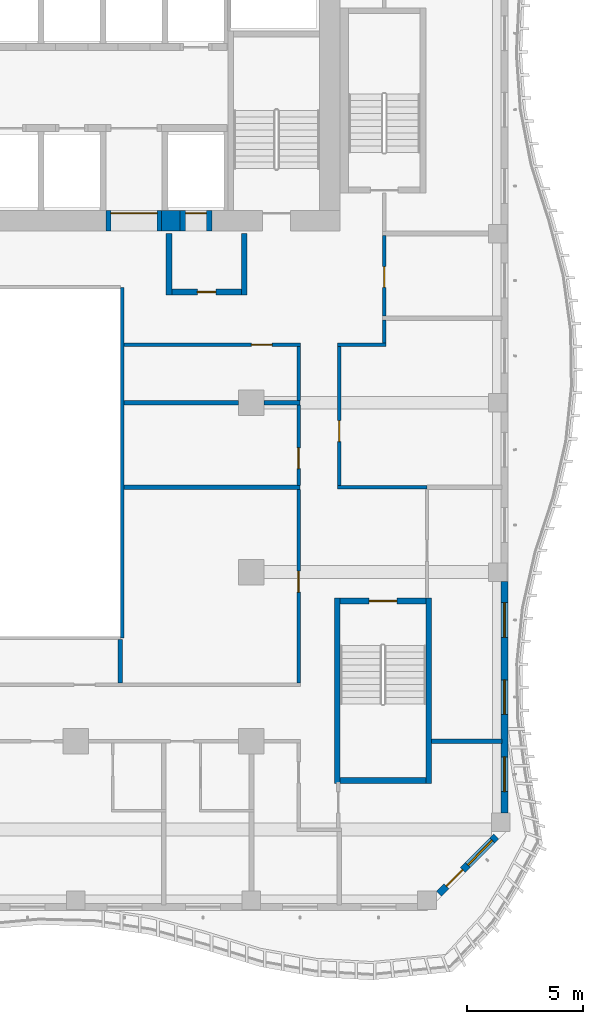
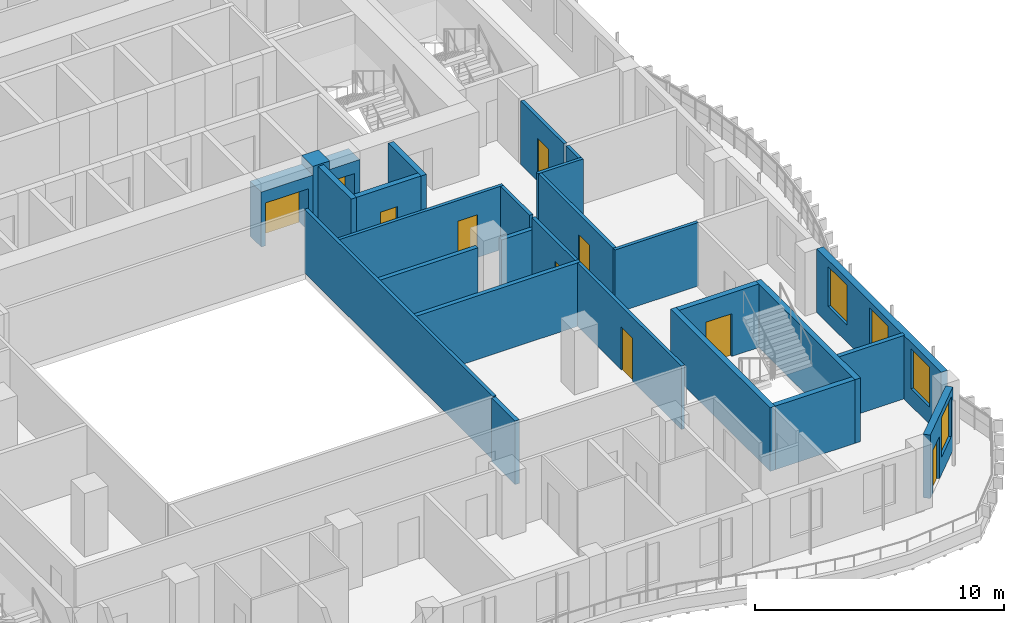
# One storey, part 5 of 20: 27 walls, 10 doors, 4 windows, 14 openings.
"""IFC4 building model written with IfcOpenShell, lengths in metres."""

from ifc_helpers import new_model, si_unit, direction, frame, frame_2d, origin, place, context, subcontext, project, spatial, rectangle, extrude, source, transform, mapped, material, layer, layer_set, type_object, element, fill, save


model = new_model("IFC4")

# Units and contexts
model_context = context("Model", 3, precision=1e-05, world=origin(), true_north=direction((0.0, 1.0)))
body_context = subcontext(model_context, "Body", "Model", "MODEL_VIEW")
ifc_project = project(units=[si_unit("LENGTHUNIT", "METRE"), si_unit("AREAUNIT", "SQUARE_METRE"), si_unit("VOLUMEUNIT", "CUBIC_METRE"), si_unit("PLANEANGLEUNIT", "RADIAN"), si_unit("MASSUNIT", "GRAM", prefix="KILO")], contexts=[model_context])

# Site, building, storey
site_placement = place(None, origin())
site = spatial("IfcSite", under=ifc_project, at=site_placement, CompositionType="ELEMENT")
building_placement = place(site_placement, origin())
building = spatial("IfcBuilding", under=site, at=building_placement, Name="Kilnfold Tower and Market Hall", CompositionType="ELEMENT")
storey_placement = place(building_placement, frame((0.0, 0.0, 157.5)))
storey = spatial("IfcBuildingStorey", under=building, at=storey_placement, Name="L36", CompositionType="ELEMENT", Elevation=157.5)

# Wall
ifc_material_1 = material(Name="Fire-resisting glazed screen")
ifc_layer_1 = layer(ifc_material_1, 0.14990234375)
ifc_layer_set_1 = layer_set([ifc_layer_1], Name="Fire-resisting glazed screen")
wall_type_1 = type_object("IfcWallType", Name="WALL ATRIUM 150", PredefinedType="PARTITIONING", material=ifc_layer_set_1)
wall_1_placement = place(storey_placement, frame((8.574951171875, 5.675048828125, 0.0), z_axis=(0.0, 0.0, 1.0), x_axis=(0.0, -1.0, 0.0)))
element("IfcWall", 1, at=wall_1_placement, inside=storey, type_object=wall_type_1, Name="Partition LY23.110", PredefinedType="PARTITIONING", context=body_context, shape_type="SweptSolid", body=[
    extrude(rectangle(XDim=15.150146484375, YDim=0.14990234375, at=frame_2d((7.5751953125, 0.0))), origin(), (0.0, 0.0, 1.0), 3.1201171875),
])

# Wall, opening, door
ifc_material_2 = material(Name="Gypsum board on steel studs", Category="steel")
ifc_layer_2 = layer(ifc_material_2, 0.14990234375)
ifc_layer_set_2 = layer_set([ifc_layer_2], Name="Gypsum board on steel studs")
wall_type_2 = type_object("IfcWallType", Name="WALL CORRIDOR 150", PredefinedType="PARTITIONING", material=ifc_layer_set_2)
wall_2_placement = place(storey_placement, frame((19.89990234375, 4.43408203125, 0.0), z_axis=(0.0, 0.0, 1.0), x_axis=(0.0, 1.0, 0.0)))
wall_2 = element("IfcWall", 2, at=wall_2_placement, inside=storey, type_object=wall_type_2, Name="Partition LY23.23", PredefinedType="PARTITIONING", context=body_context, shape_type="SweptSolid", body=[
    extrude(rectangle(XDim=3.475830078125, YDim=0.14990234375, at=frame_2d((1.73779296875, 0.0))), origin(), (0.0, 0.0, 1.0), 3.1201171875),
])
opening_1_placement = place(wall_2_placement, frame((1.236083984375, 0.0, 0.0)))
opening_1 = element("IfcOpeningElement", 3, at=opening_1_placement, cuts=wall_2, Name="Opening D2", PredefinedType="OPENING", context=body_context, shape_type="SweptSolid", body=[
    extrude(rectangle(XDim=0.89990234375, YDim=2.10009765625, at=frame_2d((0.449951171875, 1.050048828125))), frame((0.0, 0.0849609375, 0.0), z_axis=(0.0, -1.0, 0.0), x_axis=(1.0, 0.0, 0.0)), (0.0, 0.0, 1.0), 0.169921875),
])
ifc_material_3 = material(Name="Timber veneer door leaf in steel frame", Category="steel")
door_type_1 = type_object("IfcDoorType", Name="DOOR ROOM 900 X2100", OperationType="NOTDEFINED", PredefinedType="DOOR", material=ifc_material_3)
door_1_placement = place(opening_1_placement, origin())
door_1 = element("IfcDoor", 4, at=door_1_placement, inside=storey, type_object=door_type_1, Name="Door D2", OperationType="SINGLE_SWING_LEFT", OverallHeight=2.10009765625, OverallWidth=0.89990234375, PredefinedType="DOOR", context=body_context, shape_type="SweptSolid", body=[
    extrude(rectangle(XDim=0.89990234375, YDim=2.10009765625, at=frame_2d((0.449951171875, 1.050048828125))), frame((0.0, 0.02490234375, 0.0), z_axis=(0.0, -1.0, 0.0), x_axis=(1.0, 0.0, 0.0)), (0.0, 0.0, 1.0), 0.050048828125),
])
fill(opening_1, door_1)

# Walls
wall_3_placement = place(storey_placement, frame((19.89990234375, 3.27490234375, 0.0), z_axis=(0.0, 0.0, 1.0), x_axis=(0.0, 1.0, 0.0)))
element("IfcWall", 5, at=wall_3_placement, inside=storey, type_object=wall_type_2, Name="Partition LY23.27", PredefinedType="PARTITIONING", context=body_context, shape_type="SweptSolid", body=[
    extrude(rectangle(XDim=0.97900390625, YDim=0.14990234375, at=frame_2d((0.489501953125, 0.0))), origin(), (0.0, 0.0, 1.0), 3.1201171875),
])
wall_4_placement = place(storey_placement, frame((17.884033203125, 3.199951171875, 0.0), z_axis=(0.0, 0.0, 1.0), x_axis=(1.0, 0.0, 0.0)))
element("IfcWall", 6, at=wall_4_placement, inside=storey, type_object=wall_type_2, Name="Partition LY23.28", PredefinedType="PARTITIONING", context=body_context, shape_type="SweptSolid", body=[
    extrude(rectangle(XDim=2.091064453125, YDim=0.14990234375, at=frame_2d((1.04541015625, 0.0))), origin(), (0.0, 0.0, 1.0), 3.1201171875),
])

# Wall, opening, door
wall_5_placement = place(storey_placement, frame((17.958984375, -2.89404296875, 0.0), z_axis=(0.0, 0.0, 1.0), x_axis=(0.0, 1.0, 0.0)))
wall_5 = element("IfcWall", 7, at=wall_5_placement, inside=storey, type_object=wall_type_2, Name="Partition LY23.29", PredefinedType="PARTITIONING", context=body_context, shape_type="SweptSolid", body=[
    extrude(rectangle(XDim=6.01904296875, YDim=0.14990234375, at=frame_2d((3.009521484375, 0.0))), origin(), (0.0, 0.0, 1.0), 3.1201171875),
])
opening_2_placement = place(wall_5_placement, frame((1.906982421875, 0.0, 0.0)))
opening_2 = element("IfcOpeningElement", 8, at=opening_2_placement, cuts=wall_5, Name="Opening D2", PredefinedType="OPENING", context=body_context, shape_type="SweptSolid", body=[
    extrude(rectangle(XDim=0.89990234375, YDim=2.10009765625, at=frame_2d((0.449951171875, 1.050048828125))), frame((0.0, 0.0849609375, 0.0), z_axis=(0.0, -1.0, 0.0), x_axis=(1.0, 0.0, 0.0)), (0.0, 0.0, 1.0), 0.169921875),
])
door_2_placement = place(opening_2_placement, origin())
door_2 = element("IfcDoor", 9, at=door_2_placement, inside=storey, type_object=door_type_1, Name="Door D2", OperationType="SINGLE_SWING_RIGHT", OverallHeight=2.10009765625, OverallWidth=0.89990234375, PredefinedType="DOOR", context=body_context, shape_type="SweptSolid", body=[
    extrude(rectangle(XDim=0.89990234375, YDim=2.10009765625, at=frame_2d((0.449951171875, 1.050048828125))), frame((0.0, 0.02490234375, 0.0), z_axis=(0.0, -1.0, 0.0), x_axis=(1.0, 0.0, 0.0)), (0.0, 0.0, 1.0), 0.050048828125),
])
fill(opening_2, door_2)

# Wall
wall_6_placement = place(storey_placement, frame((21.7509765625, -2.968994140625, 0.0), z_axis=(0.0, 0.0, 1.0), x_axis=(-1.0, 0.0, 0.0)))
element("IfcWall", 10, at=wall_6_placement, inside=storey, type_object=wall_type_2, Name="Partition LY23.30", PredefinedType="PARTITIONING", context=body_context, shape_type="SweptSolid", body=[
    extrude(rectangle(XDim=3.866943359375, YDim=0.14990234375, at=frame_2d((1.93359375, 0.0))), origin(), (0.0, 0.0, 1.0), 3.1201171875),
])

# Wall, opening, door
wall_7_placement = place(storey_placement, frame((16.199951171875, -11.425048828125, 0.0), z_axis=(0.0, 0.0, 1.0), x_axis=(0.0, 1.0, 0.0)))
wall_7 = element("IfcWall", 11, at=wall_7_placement, inside=storey, type_object=wall_type_2, Name="Partition LY23.40", PredefinedType="PARTITIONING", context=body_context, shape_type="SweptSolid", body=[
    extrude(rectangle(XDim=8.365966796875, YDim=0.14990234375, at=frame_2d((4.18310546875, 0.0))), origin(), (0.0, 0.0, 1.0), 3.1201171875),
])
opening_3_placement = place(wall_7_placement, frame((3.93505859375, 0.0, 0.0)))
opening_3 = element("IfcOpeningElement", 12, at=opening_3_placement, cuts=wall_7, Name="Opening D2", PredefinedType="OPENING", context=body_context, shape_type="SweptSolid", body=[
    extrude(rectangle(XDim=0.89990234375, YDim=2.10009765625, at=frame_2d((0.449951171875, 1.050048828125))), frame((0.0, 0.0849609375, 0.0), z_axis=(0.0, -1.0, 0.0), x_axis=(1.0, 0.0, 0.0)), (0.0, 0.0, 1.0), 0.169921875),
])
door_3_placement = place(opening_3_placement, origin())
door_3 = element("IfcDoor", 13, at=door_3_placement, inside=storey, type_object=door_type_1, Name="Door D2", OperationType="SINGLE_SWING_RIGHT", OverallHeight=2.10009765625, OverallWidth=0.89990234375, PredefinedType="DOOR", context=body_context, shape_type="SweptSolid", body=[
    extrude(rectangle(XDim=0.89990234375, YDim=2.10009765625, at=frame_2d((0.449951171875, 1.050048828125))), frame((0.0, 0.02490234375, 0.0), z_axis=(0.0, -1.0, 0.0), x_axis=(1.0, 0.0, 0.0)), (0.0, 0.0, 1.0), 0.050048828125),
])
fill(opening_3, door_3)

wall_8_placement = place(storey_placement, frame((16.199951171875, -2.87890625, 0.0), z_axis=(0.0, 0.0, 1.0), x_axis=(0.0, 1.0, 0.0)))
wall_8 = element("IfcWall", 14, at=wall_8_placement, inside=storey, type_object=wall_type_2, Name="Partition LY23.41", PredefinedType="PARTITIONING", context=body_context, shape_type="SweptSolid", body=[
    extrude(rectangle(XDim=3.476806640625, YDim=0.14990234375, at=frame_2d((1.73828125, 0.0))), origin(), (0.0, 0.0, 1.0), 3.1201171875),
])
opening_4_placement = place(wall_8_placement, frame((0.718017578125, 0.0, 0.0)))
opening_4 = element("IfcOpeningElement", 15, at=opening_4_placement, cuts=wall_8, Name="Opening D2", PredefinedType="OPENING", context=body_context, shape_type="SweptSolid", body=[
    extrude(rectangle(XDim=0.89990234375, YDim=2.10009765625, at=frame_2d((0.449951171875, 1.050048828125))), frame((0.0, 0.0849609375, 0.0), z_axis=(0.0, -1.0, 0.0), x_axis=(1.0, 0.0, 0.0)), (0.0, 0.0, 1.0), 0.169921875),
])
door_4_placement = place(opening_4_placement, origin())
door_4 = element("IfcDoor", 16, at=door_4_placement, inside=storey, type_object=door_type_1, Name="Door D2", OperationType="SINGLE_SWING_LEFT", OverallHeight=2.10009765625, OverallWidth=0.89990234375, PredefinedType="DOOR", context=body_context, shape_type="SweptSolid", body=[
    extrude(rectangle(XDim=0.89990234375, YDim=2.10009765625, at=frame_2d((0.449951171875, 1.050048828125))), frame((0.0, 0.02490234375, 0.0), z_axis=(0.0, -1.0, 0.0), x_axis=(1.0, 0.0, 0.0)), (0.0, 0.0, 1.0), 0.050048828125),
])
fill(opening_4, door_4)

# Wall
wall_9_placement = place(storey_placement, frame((16.199951171875, 0.778076171875, 0.0), z_axis=(0.0, 0.0, 1.0), x_axis=(0.0, 1.0, 0.0)))
element("IfcWall", 17, at=wall_9_placement, inside=storey, type_object=wall_type_2, Name="Partition LY23.42", PredefinedType="PARTITIONING", context=body_context, shape_type="SweptSolid", body=[
    extrude(rectangle(XDim=2.346923828125, YDim=0.14990234375, at=frame_2d((1.17333984375, 0.0))), origin(), (0.0, 0.0, 1.0), 3.1201171875),
])

# Wall, opening, door
wall_10_placement = place(storey_placement, frame((8.64990234375, 3.199951171875, 0.0), z_axis=(0.0, 0.0, 1.0), x_axis=(1.0, 0.0, 0.0)))
wall_10 = element("IfcWall", 18, at=wall_10_placement, inside=storey, type_object=wall_type_2, Name="Partition LY23.43", PredefinedType="PARTITIONING", context=body_context, shape_type="SweptSolid", body=[
    extrude(rectangle(XDim=7.625, YDim=0.14990234375, at=frame_2d((3.8125, 0.0))), origin(), (0.0, 0.0, 1.0), 3.1201171875),
])
opening_5_placement = place(wall_10_placement, frame((5.512939453125, 0.0, 0.0)))
opening_5 = element("IfcOpeningElement", 19, at=opening_5_placement, cuts=wall_10, Name="Opening D2", PredefinedType="OPENING", context=body_context, shape_type="SweptSolid", body=[
    extrude(rectangle(XDim=0.89990234375, YDim=2.10009765625, at=frame_2d((0.449951171875, 1.050048828125))), frame((0.0, 0.0849609375, 0.0), z_axis=(0.0, -1.0, 0.0), x_axis=(1.0, 0.0, 0.0)), (0.0, 0.0, 1.0), 0.169921875),
])
door_5_placement = place(opening_5_placement, origin())
door_5 = element("IfcDoor", 20, at=door_5_placement, inside=storey, type_object=door_type_1, Name="Door D2", OperationType="SINGLE_SWING_LEFT", OverallHeight=2.10009765625, OverallWidth=0.89990234375, PredefinedType="DOOR", context=body_context, shape_type="SweptSolid", body=[
    extrude(rectangle(XDim=0.89990234375, YDim=2.10009765625, at=frame_2d((0.449951171875, 1.050048828125))), frame((0.0, 0.02490234375, 0.0), z_axis=(0.0, -1.0, 0.0), x_axis=(1.0, 0.0, 0.0)), (0.0, 0.0, 1.0), 0.050048828125),
])
fill(opening_5, door_5)

# Walls
ifc_material_4 = material(Name="Gypsum board on steel studs", Category="steel")
ifc_layer_3 = layer(ifc_material_4, 0.199951171875)
ifc_layer_set_3 = layer_set([ifc_layer_3], Name="Gypsum board on steel studs")
wall_type_3 = type_object("IfcWallType", Name="WALL PARTY 200", PredefinedType="PARTITIONING", material=ifc_layer_set_3)
wall_11_placement = place(storey_placement, frame((25.0, -13.93798828125, 0.0), z_axis=(0.0, 0.0, 1.0), x_axis=(-1.0, 0.0, 0.0)))
element("IfcWall", 21, at=wall_11_placement, inside=storey, type_object=wall_type_3, Name="Partition LY23.61", PredefinedType="PARTITIONING", context=body_context, shape_type="SweptSolid", body=[
    extrude(rectangle(XDim=3.050048828125, YDim=0.199951171875, at=frame_2d((1.52490234375, 0.0))), origin(), (0.0, 0.0, 1.0), 3.1201171875),
])
wall_12_placement = place(storey_placement, frame((8.5, -11.423095703125, 0.0), z_axis=(0.0, 0.0, 1.0), x_axis=(0.0, 1.0, 0.0)))
element("IfcWall", 22, at=wall_12_placement, inside=storey, type_object=wall_type_3, Name="Partition LY23.103", PredefinedType="PARTITIONING", context=body_context, shape_type="SweptSolid", body=[
    extrude(rectangle(XDim=1.873046875, YDim=0.199951171875, at=frame_2d((0.9365234375, 0.0))), origin(), (0.0, 0.0, 1.0), 3.1201171875),
])
wall_13_placement = place(storey_placement, frame((8.64990234375, -2.968994140625, 0.0), z_axis=(0.0, 0.0, 1.0), x_axis=(1.0, 0.0, 0.0)))
element("IfcWall", 23, at=wall_13_placement, inside=storey, type_object=wall_type_3, Name="Partition LY23.104", PredefinedType="PARTITIONING", context=body_context, shape_type="SweptSolid", body=[
    extrude(rectangle(XDim=7.623046875, YDim=0.199951171875, at=frame_2d((3.8115234375, 0.0))), origin(), (0.0, 0.0, 1.0), 3.1201171875),
])
wall_14_placement = place(storey_placement, frame((14.717041015625, 0.68798828125, 0.0), z_axis=(0.0, 0.0, 1.0), x_axis=(1.0, 0.0, 0.0)))
element("IfcWall", 24, at=wall_14_placement, inside=storey, type_object=wall_type_3, Name="Partition LY23.105", PredefinedType="PARTITIONING", context=body_context, shape_type="SweptSolid", body=[
    extrude(rectangle(XDim=1.555908203125, YDim=0.199951171875, at=frame_2d((0.77783203125, 0.0))), origin(), (0.0, 0.0, 1.0), 2.52001953125),
])
wall_15_placement = place(storey_placement, frame((8.64990234375, 0.68798828125, 0.0), z_axis=(0.0, 0.0, 1.0), x_axis=(1.0, 0.0, 0.0)))
element("IfcWall", 25, at=wall_15_placement, inside=storey, type_object=wall_type_3, Name="Partition LY23.106", PredefinedType="PARTITIONING", context=body_context, shape_type="SweptSolid", body=[
    extrude(rectangle(XDim=4.967041015625, YDim=0.199951171875, at=frame_2d((2.4833984375, 0.0))), origin(), (0.0, 0.0, 1.0), 2.52001953125),
])
ifc_material_5 = material(Name="Concrete C70", Category="concrete")
ifc_layer_4 = layer(ifc_material_5, 0.89990234375)
ifc_layer_set_4 = layer_set([ifc_layer_4], Name="Concrete C70")
wall_type_4 = type_object("IfcWallType", Name="CORE WALL 900 C70", PredefinedType="SHEAR", material=ifc_layer_set_4)
shared_shape_1 = source(origin(), body_context, "Body", "SweptSolid", [
    extrude(rectangle(XDim=0.780029296875, YDim=0.89990234375, at=frame_2d((0.39013671875, 0.0))), origin(), (0.0, 0.0, 1.0), 3.1201171875),
])
wall_16_placement = place(storey_placement, frame((10.2900390625, 8.550048828125, 0.0), z_axis=(0.0, 0.0, 1.0), x_axis=(1.0, 0.0, 0.0)))
element("IfcWall", 26, at=wall_16_placement, inside=storey, type_object=wall_type_4, Name="Core outer wall south", PredefinedType="SHEAR", context=body_context, shape_type="MappedRepresentation", body=[
    mapped(shared_shape_1, transform((0.0, 0.0, 0.0))),
])
ifc_material_6 = material(Name="Concrete C70", Category="concrete")
ifc_layer_5 = layer(ifc_material_6, 0.25)
ifc_layer_set_5 = layer_set([ifc_layer_5], Name="Concrete C70")
wall_type_5 = type_object("IfcWallType", Name="CORE WALL 250 C70", PredefinedType="SHEAR", material=ifc_layer_set_5)
shared_shape_2 = source(origin(), body_context, "Body", "SweptSolid", [
    extrude(rectangle(XDim=3.699951171875, YDim=0.25, at=frame_2d((1.85009765625, 0.0))), origin(), (0.0, 0.0, 1.0), 3.1201171875),
])
wall_17_placement = place(storey_placement, frame((18.0, -15.625, 0.0), z_axis=(0.0, 0.0, 1.0), x_axis=(1.0, 0.0, 0.0)))
element("IfcWall", 27, at=wall_17_placement, inside=storey, type_object=wall_type_5, Name="Stair enclosure ST4", PredefinedType="SHEAR", context=body_context, shape_type="MappedRepresentation", body=[
    mapped(shared_shape_2, transform((0.0, 0.0, 0.0))),
])

# Wall, opening, door
wall_18_placement = place(storey_placement, frame((18.0, -7.875, 0.0), z_axis=(0.0, 0.0, 1.0), x_axis=(1.0, 0.0, 0.0)))
wall_18 = element("IfcWall", 28, at=wall_18_placement, inside=storey, type_object=wall_type_5, Name="Stair enclosure ST4", PredefinedType="SHEAR", context=body_context, shape_type="MappedRepresentation", body=[
    mapped(shared_shape_2, transform((0.0, 0.0, 0.0))),
])
opening_6_placement = place(wall_18_placement, frame((1.25, 0.0, 0.0)))
opening_6 = element("IfcOpeningElement", 29, at=opening_6_placement, cuts=wall_18, Name="Opening SD1", PredefinedType="OPENING", context=body_context, shape_type="SweptSolid", body=[
    extrude(rectangle(XDim=1.199951171875, YDim=2.10009765625, at=frame_2d((0.60009765625, 1.050048828125))), frame((0.0, 0.135009765625, 0.0), z_axis=(0.0, -1.0, 0.0), x_axis=(1.0, 0.0, 0.0)), (0.0, 0.0, 1.0), 0.27001953125),
])
ifc_material_7 = material(Name="Steel door set with fire-resisting leaf", Category="steel")
door_type_2 = type_object("IfcDoorType", Name="STAIR FLOOR DOOR 1200X2100", OperationType="NOTDEFINED", PredefinedType="DOOR", material=ifc_material_7)
door_6_placement = place(opening_6_placement, origin())
door_6 = element("IfcDoor", 30, at=door_6_placement, inside=storey, type_object=door_type_2, Name="Exit stair ST4 door", OperationType="DOUBLE_DOOR_SINGLE_SWING", OverallHeight=2.10009765625, OverallWidth=1.199951171875, PredefinedType="DOOR", context=body_context, shape_type="SweptSolid", body=[
    extrude(rectangle(XDim=1.199951171875, YDim=2.10009765625, at=frame_2d((0.60009765625, 1.050048828125))), frame((0.0, 0.02490234375, 0.0), z_axis=(0.0, -1.0, 0.0), x_axis=(1.0, 0.0, 0.0)), (0.0, 0.0, 1.0), 0.050048828125),
])
fill(opening_6, door_6)

# Walls
shared_shape_3 = source(origin(), body_context, "Body", "SweptSolid", [
    extrude(rectangle(XDim=8.0, YDim=0.25, at=frame_2d((4.0, 0.0))), origin(), (0.0, 0.0, 1.0), 3.1201171875),
])
for number, where, z_axis, x_axis, name in (
    (31, (17.875, -15.75, 0.0), (0.0, 0.0, 1.0), (0.0, 1.0, 0.0), "Stair enclosure ST4"),
    (32, (21.824951171875, -15.75, 0.0), (0.0, 0.0, 1.0), (0.0, 1.0, 0.0), "Stair enclosure ST4"),
):
    element("IfcWall", number, at=place(storey_placement, frame(where, z_axis=z_axis, x_axis=x_axis)), inside=storey, type_object=wall_type_5, Name=name, PredefinedType="SHEAR", context=body_context, shape_type="MappedRepresentation", body=[
        mapped(shared_shape_3, transform((0.0, 0.0, 0.0))),
    ])

# Wall, openings, door, window
ifc_material_8 = material(Name="Precast concrete C50/60", Category="concrete")
ifc_layer_6 = layer(ifc_material_8, 0.300048828125)
ifc_layer_set_6 = layer_set([ifc_layer_6], Name="Precast concrete C50/60")
wall_type_6 = type_object("IfcWallType", Name="PRECAST WALL 300", PredefinedType="SOLIDWALL", material=ifc_layer_set_6)
shared_shape_4 = source(origin(), body_context, "Body", "SweptSolid", [
    extrude(rectangle(XDim=3.500244140625, YDim=0.300048828125, at=frame_2d((1.75, 0.0))), origin(), (0.0, 0.0, 1.0), 3.1201171875),
])
wall_19_placement = place(storey_placement, frame((22.268798828125, -20.518798828125, 0.0), z_axis=(0.0, 0.0, 1.0), x_axis=(0.707141656123, 0.70707190453, 0.0)))
wall_19 = element("IfcWall", 33, at=wall_19_placement, inside=storey, type_object=wall_type_6, Name="External wall L36 SE", PredefinedType="SOLIDWALL", context=body_context, shape_type="MappedRepresentation", body=[
    mapped(shared_shape_4, transform((0.0, 0.0, 0.0))),
])
opening_7_placement = place(wall_19_placement, frame((1.75, 0.0, 0.85009765625)))
opening_7 = element("IfcOpeningElement", 34, at=opening_7_placement, cuts=wall_19, Name="Opening W4", PredefinedType="OPENING", context=body_context, shape_type="SweptSolid", body=[
    extrude(rectangle(XDim=1.5, YDim=1.949951171875, at=frame_2d((0.75, 0.97509765625))), frame((0.0, 0.16015625, 0.0), z_axis=(0.0, -1.0, 0.0), x_axis=(1.0, 0.0, 0.0)), (0.0, 0.0, 1.0), 0.320068359375),
])
opening_8_placement = place(wall_19_placement, frame((0.449951171875, 0.0, 0.0)))
opening_8 = element("IfcOpeningElement", 35, at=opening_8_placement, cuts=wall_19, Name="Opening BD1", PredefinedType="OPENING", context=body_context, shape_type="SweptSolid", body=[
    extrude(rectangle(XDim=1.0, YDim=2.10009765625, at=frame_2d((0.5, 1.050048828125))), frame((0.0, 0.16015625, 0.0), z_axis=(0.0, -1.0, 0.0), x_axis=(1.0, 0.0, 0.0)), (0.0, 0.0, 1.0), 0.320068359375),
])
ifc_material_9 = material(Name="Aluminium frame and double glazing", Category="aluminium")
door_type_3 = type_object("IfcDoorType", Name="BALCONY DOOR 1000X2100", OperationType="NOTDEFINED", PredefinedType="DOOR", material=ifc_material_9)
door_7_placement = place(opening_8_placement, origin())
door_7 = element("IfcDoor", 36, at=door_7_placement, inside=storey, type_object=door_type_3, Name="Balcony door BD1 L36 SE-1", OperationType="SINGLE_SWING_LEFT", OverallHeight=2.10009765625, OverallWidth=1.0, PredefinedType="DOOR", context=body_context, shape_type="SweptSolid", body=[
    extrude(rectangle(XDim=1.0, YDim=2.10009765625, at=frame_2d((0.5, 1.050048828125))), frame((0.0, 0.02490234375, 0.0), z_axis=(0.0, -1.0, 0.0), x_axis=(1.0, 0.0, 0.0)), (0.0, 0.0, 1.0), 0.050048828125),
])
fill(opening_8, door_7)
ifc_material_10 = material(Name="Aluminium frame and double glazing", Category="aluminium")
window_type = type_object("IfcWindowType", Name="WINDOW W4 1500X1950", PartitioningType="SINGLE_PANEL", PredefinedType="WINDOW", material=ifc_material_10)
window_1_placement = place(opening_7_placement, origin())
window_1 = element("IfcWindow", 37, at=window_1_placement, inside=storey, type_object=window_type, Name="Window W4 L36 SE-1", OverallHeight=1.949951171875, OverallWidth=1.5, PartitioningType="SINGLE_PANEL", PredefinedType="WINDOW", context=body_context, shape_type="SweptSolid", body=[
    extrude(rectangle(XDim=1.5, YDim=1.949951171875, at=frame_2d((0.75, 0.97509765625))), frame((0.0, 0.030029296875, 0.0), z_axis=(0.0, -1.0, 0.0), x_axis=(1.0, 0.0, 0.0)), (0.0, 0.0, 1.0), 0.06005859375),
])
fill(opening_7, window_1)

# Wall, openings, windows
shared_shape_5 = source(origin(), body_context, "Body", "SweptSolid", [
    extrude(rectangle(XDim=10.0068359375, YDim=0.300048828125, at=frame_2d((5.00341796875, 0.0))), origin(), (0.0, 0.0, 1.0), 3.1201171875),
])
wall_20_placement = place(storey_placement, frame((25.10009765625, -17.03173828125, 0.0), z_axis=(0.0, 0.0, 1.0), x_axis=(0.0, 1.0, 0.0)))
wall_20 = element("IfcWall", 38, at=wall_20_placement, inside=storey, type_object=wall_type_6, Name="External wall L36 E", PredefinedType="SOLIDWALL", context=body_context, shape_type="MappedRepresentation", body=[
    mapped(shared_shape_5, transform((0.0, 0.0, 0.0))),
])
opening_9_placement = place(wall_20_placement, frame((0.917724609375, 0.0, 0.85009765625)))
opening_9 = element("IfcOpeningElement", 39, at=opening_9_placement, cuts=wall_20, Name="Opening W4", PredefinedType="OPENING", context=body_context, shape_type="SweptSolid", body=[
    extrude(rectangle(XDim=1.5, YDim=1.949951171875, at=frame_2d((0.75, 0.97509765625))), frame((0.0, 0.16015625, 0.0), z_axis=(0.0, -1.0, 0.0), x_axis=(1.0, 0.0, 0.0)), (0.0, 0.0, 1.0), 0.320068359375),
])
opening_10_placement = place(wall_20_placement, frame((4.25341796875, 0.0, 0.85009765625)))
opening_10 = element("IfcOpeningElement", 40, at=opening_10_placement, cuts=wall_20, Name="Opening W4", PredefinedType="OPENING", context=body_context, shape_type="SweptSolid", body=[
    extrude(rectangle(XDim=1.5, YDim=1.949951171875, at=frame_2d((0.75, 0.97509765625))), frame((0.0, 0.16015625, 0.0), z_axis=(0.0, -1.0, 0.0), x_axis=(1.0, 0.0, 0.0)), (0.0, 0.0, 1.0), 0.320068359375),
])
opening_11_placement = place(wall_20_placement, frame((7.589111328125, 0.0, 0.85009765625)))
opening_11 = element("IfcOpeningElement", 41, at=opening_11_placement, cuts=wall_20, Name="Opening W4", PredefinedType="OPENING", context=body_context, shape_type="SweptSolid", body=[
    extrude(rectangle(XDim=1.5, YDim=1.949951171875, at=frame_2d((0.75, 0.97509765625))), frame((0.0, 0.16015625, 0.0), z_axis=(0.0, -1.0, 0.0), x_axis=(1.0, 0.0, 0.0)), (0.0, 0.0, 1.0), 0.320068359375),
])
window_2_placement = place(opening_9_placement, origin())
window_2 = element("IfcWindow", 42, at=window_2_placement, inside=storey, type_object=window_type, Name="Window W4 L36 E-1", OverallHeight=1.949951171875, OverallWidth=1.5, PartitioningType="SINGLE_PANEL", PredefinedType="WINDOW", context=body_context, shape_type="SweptSolid", body=[
    extrude(rectangle(XDim=1.5, YDim=1.949951171875, at=frame_2d((0.75, 0.97509765625))), frame((0.0, 0.030029296875, 0.0), z_axis=(0.0, -1.0, 0.0), x_axis=(1.0, 0.0, 0.0)), (0.0, 0.0, 1.0), 0.06005859375),
])
fill(opening_9, window_2)
window_3_placement = place(opening_10_placement, origin())
window_3 = element("IfcWindow", 43, at=window_3_placement, inside=storey, type_object=window_type, Name="Window W4 L36 E-2", OverallHeight=1.949951171875, OverallWidth=1.5, PartitioningType="SINGLE_PANEL", PredefinedType="WINDOW", context=body_context, shape_type="SweptSolid", body=[
    extrude(rectangle(XDim=1.5, YDim=1.949951171875, at=frame_2d((0.75, 0.97509765625))), frame((0.0, 0.030029296875, 0.0), z_axis=(0.0, -1.0, 0.0), x_axis=(1.0, 0.0, 0.0)), (0.0, 0.0, 1.0), 0.06005859375),
])
fill(opening_10, window_3)
window_4_placement = place(opening_11_placement, origin())
window_4 = element("IfcWindow", 44, at=window_4_placement, inside=storey, type_object=window_type, Name="Window W4 L36 E-3", OverallHeight=1.949951171875, OverallWidth=1.5, PartitioningType="SINGLE_PANEL", PredefinedType="WINDOW", context=body_context, shape_type="SweptSolid", body=[
    extrude(rectangle(XDim=1.5, YDim=1.949951171875, at=frame_2d((0.75, 0.97509765625))), frame((0.0, 0.030029296875, 0.0), z_axis=(0.0, -1.0, 0.0), x_axis=(1.0, 0.0, 0.0)), (0.0, 0.0, 1.0), 0.06005859375),
])
fill(opening_11, window_4)

# Wall, opening, door
ifc_material_11 = material(Name="Gypsum shaft wall system")
ifc_layer_7 = layer(ifc_material_11, 0.89990234375)
ifc_layer_set_7 = layer_set([ifc_layer_7], Name="Gypsum shaft wall system")
wall_type_7 = type_object("IfcWallType", Name="LOBBY WALL 900", PredefinedType="PARTITIONING", material=ifc_layer_set_7)
shared_shape_6 = source(origin(), body_context, "Body", "SweptSolid", [
    extrude(rectangle(XDim=1.39990234375, YDim=0.89990234375, at=frame_2d((0.699951171875, 0.0))), origin(), (0.0, 0.0, 1.0), 2.699951171875),
])
wall_21_placement = place(storey_placement, frame((11.070068359375, 8.550048828125, 0.0), z_axis=(0.0, 0.0, 1.0), x_axis=(1.0, 0.0, 0.0)))
wall_21 = element("IfcWall", 45, at=wall_21_placement, inside=storey, type_object=wall_type_7, Name="Core wall infill", PredefinedType="PARTITIONING", context=body_context, shape_type="MappedRepresentation", body=[
    mapped(shared_shape_6, transform((0.0, 0.0, 0.0))),
])
opening_12_placement = place(wall_21_placement, frame((0.25, 0.0, 0.0)))
opening_12 = element("IfcOpeningElement", 46, at=opening_12_placement, cuts=wall_21, Name="Opening LD1", PredefinedType="OPENING", context=body_context, shape_type="SweptSolid", body=[
    extrude(rectangle(XDim=0.89990234375, YDim=2.10009765625, at=frame_2d((0.449951171875, 1.050048828125))), frame((0.0, 0.4599609375, 0.0), z_axis=(0.0, -1.0, 0.0), x_axis=(1.0, 0.0, 0.0)), (0.0, 0.0, 1.0), 0.919921875),
])
ifc_material_12 = material(Name="Steel door set with fire-resisting leaf", Category="steel")
door_type_4 = type_object("IfcDoorType", Name="FIREFIGHTING LANDING DOOR 900X2100", OperationType="NOTDEFINED", PredefinedType="DOOR", material=ifc_material_12)
door_8_placement = place(opening_12_placement, origin())
door_8 = element("IfcDoor", 47, at=door_8_placement, inside=storey, type_object=door_type_4, Name="Landing door FF3", OperationType="SLIDING_TO_LEFT", OverallHeight=2.10009765625, OverallWidth=0.89990234375, PredefinedType="DOOR", context=body_context, shape_type="SweptSolid", body=[
    extrude(rectangle(XDim=0.89990234375, YDim=2.10009765625, at=frame_2d((0.449951171875, 1.050048828125))), frame((0.0, 0.35498046875, 0.0), z_axis=(0.0, -1.0, 0.0), x_axis=(1.0, 0.0, 0.0)), (0.0, 0.0, 1.0), 0.050048828125),
])
fill(opening_12, door_8)

shared_shape_7 = source(origin(), body_context, "Body", "SweptSolid", [
    extrude(rectangle(XDim=2.400146484375, YDim=0.89990234375, at=frame_2d((1.2001953125, 0.0))), origin(), (0.0, 0.0, 1.0), 2.699951171875),
])
wall_22_placement = place(storey_placement, frame((7.889892578125, 8.550048828125, 0.0), z_axis=(0.0, 0.0, 1.0), x_axis=(1.0, 0.0, 0.0)))
wall_22 = element("IfcWall", 48, at=wall_22_placement, inside=storey, type_object=wall_type_7, Name="Core wall infill", PredefinedType="PARTITIONING", context=body_context, shape_type="MappedRepresentation", body=[
    mapped(shared_shape_7, transform((0.0, 0.0, 0.0))),
])
opening_13_placement = place(wall_22_placement, frame((0.199951171875, 0.0, 0.0)))
opening_13 = element("IfcOpeningElement", 49, at=opening_13_placement, cuts=wall_22, Name="Opening VD2", PredefinedType="OPENING", context=body_context, shape_type="SweptSolid", body=[
    extrude(rectangle(XDim=2.0, YDim=2.10009765625, at=frame_2d((1.0, 1.050048828125))), frame((0.0, 0.4599609375, 0.0), z_axis=(0.0, -1.0, 0.0), x_axis=(1.0, 0.0, 0.0)), (0.0, 0.0, 1.0), 0.919921875),
])
ifc_material_13 = material(Name="Steel door set with fire-resisting leaf", Category="steel")
door_type_5 = type_object("IfcDoorType", Name="LIFT LOBBY ENTRANCE DOOR 2000X2100", OperationType="NOTDEFINED", PredefinedType="DOOR", material=ifc_material_13)
door_9_placement = place(opening_13_placement, origin())
door_9 = element("IfcDoor", 50, at=door_9_placement, inside=storey, type_object=door_type_5, Name="Lift lobby entrance door", OperationType="DOUBLE_DOOR_SINGLE_SWING", OverallHeight=2.10009765625, OverallWidth=2.0, PredefinedType="DOOR", context=body_context, shape_type="SweptSolid", body=[
    extrude(rectangle(XDim=2.0, YDim=2.10009765625, at=frame_2d((1.0, 1.050048828125))), frame((0.0, 0.35498046875, 0.0), z_axis=(0.0, -1.0, 0.0), x_axis=(1.0, 0.0, 0.0)), (0.0, 0.0, 1.0), 0.050048828125),
])
fill(opening_13, door_9)

# Walls
ifc_material_14 = material(Name="Gypsum shaft wall system")
ifc_layer_8 = layer(ifc_material_14, 0.25)
ifc_layer_set_8 = layer_set([ifc_layer_8], Name="Gypsum shaft wall system")
wall_type_8 = type_object("IfcWallType", Name="LOBBY WALL 250", PredefinedType="PARTITIONING", material=ifc_layer_set_8)
shared_shape_8 = source(origin(), body_context, "Body", "SweptSolid", [
    extrude(rectangle(XDim=2.64990234375, YDim=0.25, at=frame_2d((1.324951171875, 0.0))), origin(), (0.0, 0.0, 1.0), 3.1201171875),
])
for number, where, z_axis, x_axis, name in (
    (51, (10.60498046875, 5.35009765625, 0.0), (0.0, 0.0, 1.0), (0.0, 1.0, 0.0), "Firefighting lobby wall"),
    (52, (13.85498046875, 5.35009765625, 0.0), (0.0, 0.0, 1.0), (0.0, 1.0, 0.0), "Firefighting lobby wall"),
):
    element("IfcWall", number, at=place(storey_placement, frame(where, z_axis=z_axis, x_axis=x_axis)), inside=storey, type_object=wall_type_8, Name=name, PredefinedType="PARTITIONING", context=body_context, shape_type="MappedRepresentation", body=[
        mapped(shared_shape_8, transform((0.0, 0.0, 0.0))),
    ])

# Wall, opening, door
shared_shape_9 = source(origin(), body_context, "Body", "SweptSolid", [
    extrude(rectangle(XDim=3.0, YDim=0.25, at=frame_2d((1.5, 0.0))), origin(), (0.0, 0.0, 1.0), 3.1201171875),
])
wall_23_placement = place(storey_placement, frame((10.72998046875, 5.47509765625, 0.0), z_axis=(0.0, 0.0, 1.0), x_axis=(1.0, 0.0, 0.0)))
wall_23 = element("IfcWall", 53, at=wall_23_placement, inside=storey, type_object=wall_type_8, Name="Firefighting lobby wall", PredefinedType="PARTITIONING", context=body_context, shape_type="MappedRepresentation", body=[
    mapped(shared_shape_9, transform((0.0, 0.0, 0.0))),
])
opening_14_placement = place(wall_23_placement, frame((1.10009765625, 0.0, 0.0)))
opening_14 = element("IfcOpeningElement", 54, at=opening_14_placement, cuts=wall_23, Name="Opening VD1", PredefinedType="OPENING", context=body_context, shape_type="SweptSolid", body=[
    extrude(rectangle(XDim=0.800048828125, YDim=2.0, at=frame_2d((0.39990234375, 1.0))), frame((0.0, 0.135009765625, 0.0), z_axis=(0.0, -1.0, 0.0), x_axis=(1.0, 0.0, 0.0)), (0.0, 0.0, 1.0), 0.27001953125),
])
ifc_material_15 = material(Name="Steel door set with fire-resisting leaf", Category="steel")
door_type_6 = type_object("IfcDoorType", Name="FIREFIGHTING LOBBY DOOR 800X2000", OperationType="NOTDEFINED", PredefinedType="DOOR", material=ifc_material_15)
door_10_placement = place(opening_14_placement, origin())
door_10 = element("IfcDoor", 55, at=door_10_placement, inside=storey, type_object=door_type_6, Name="Firefighting lobby door", OperationType="SINGLE_SWING_RIGHT", OverallHeight=2.0, OverallWidth=0.800048828125, PredefinedType="DOOR", context=body_context, shape_type="SweptSolid", body=[
    extrude(rectangle(XDim=0.800048828125, YDim=2.0, at=frame_2d((0.39990234375, 1.0))), frame((0.0, 0.02490234375, 0.0), z_axis=(0.0, -1.0, 0.0), x_axis=(1.0, 0.0, 0.0)), (0.0, 0.0, 1.0), 0.050048828125),
])
fill(opening_14, door_10)

save(model, "model.ifc")
